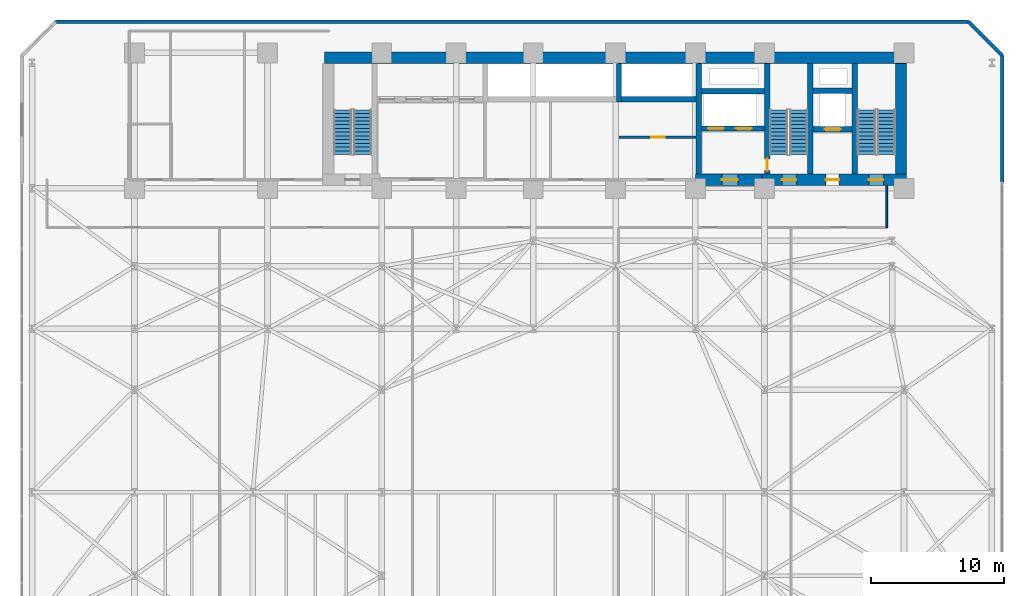
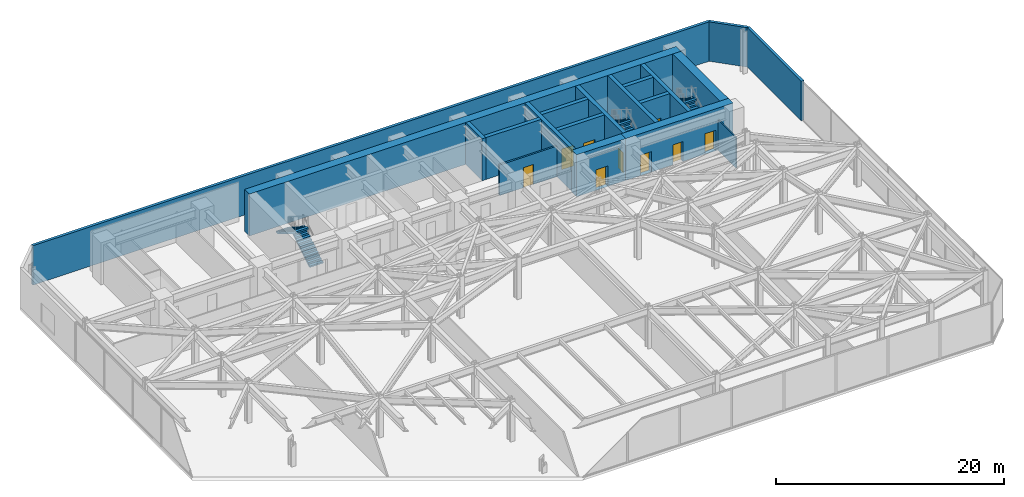
# One storey, part 26 of 28: 19 walls, 9 doors, 6 stair flights, 9 openings, 3 elements without a shape of their own.
"""IFC4 building model written with IfcOpenShell, lengths in metres."""

from ifc_helpers import new_model, si_unit, direction, frame, frame_2d, origin, place, context, subcontext, project, spatial, polyline, rectangle, outline, extrude, material, layer, layer_set, type_object, element, fill, aggregate, save


model = new_model("IFC4")

# Units and contexts
model_context = context("Model", 3, precision=1e-05, world=origin(), true_north=direction((0.0, 1.0)))
body_context = subcontext(model_context, "Body", "Model", "MODEL_VIEW")
ifc_project = project(units=[si_unit("LENGTHUNIT", "METRE"), si_unit("AREAUNIT", "SQUARE_METRE"), si_unit("VOLUMEUNIT", "CUBIC_METRE"), si_unit("PLANEANGLEUNIT", "RADIAN"), si_unit("MASSUNIT", "GRAM", prefix="KILO")], contexts=[model_context])

# Site, building, storey
site_placement = place(None, origin())
site = spatial("IfcSite", under=ifc_project, at=site_placement, CompositionType="ELEMENT")
building_placement = place(site_placement, origin())
building = spatial("IfcBuilding", under=site, at=building_placement, Name="Kravanh Interchange Tower", CompositionType="ELEMENT")
storey_placement = place(building_placement, frame((0.0, 0.0, 10.800048828125)))
storey = spatial("IfcBuildingStorey", under=building, at=storey_placement, Name="L02", CompositionType="ELEMENT", Elevation=10.800048828125)

# Walls
ifc_material_1 = material(Name="Double Acoustic Gypsum Board and Mineral Wool")
ifc_layer_1 = layer(ifc_material_1, 0.1201171875)
ifc_layer_set_1 = layer_set([ifc_layer_1], Name="Acoustic Office Drywall Partition 120mm")
wall_type_1 = type_object("IfcWallType", Name="Acoustic Office Drywall Partition 120mm", PredefinedType="PARTITIONING", material=ifc_layer_set_1)
wall_1_placement = place(storey_placement, frame((65.199951171875, 34.39990234375, 0.0), z_axis=(0.0, 0.0, 1.0), x_axis=(0.0, 1.0, 0.0)))
element("IfcWall", 1, at=wall_1_placement, inside=storey, type_object=wall_type_1, Name="L02 Interior Partition 9", PredefinedType="PARTITIONING", context=body_context, shape_type="SweptSolid", body=[
    extrude(rectangle(XDim=3.1669921875, YDim=0.1201171875, at=frame_2d((1.58349609375, 0.0))), origin(), (0.0, 0.0, 1.0), 3.281982421875),
])
ifc_material_2 = material(Name="Concrete C80/95", Category="concrete")
ifc_layer_2 = layer(ifc_material_2, 0.39990234375)
ifc_layer_set_2 = layer_set([ifc_layer_2], Name="Core Shear Wall Concrete C80/95 400mm")
wall_type_2 = type_object("IfcWallType", Name="Core Shear Wall Concrete C80/95 400mm", PredefinedType="SHEAR", material=ifc_layer_set_2)
for number, where, z_axis, x_axis, name in (
    (2, (62.800048828125, 38.425048828125, 0.0), (0.0, 0.0, 1.0), (0.0, 1.0, 0.0), "L02 Stair ST1 West Shear Wall"),
    (3, (59.449951171875, 38.425048828125, 0.0), (0.0, 0.0, 1.0), (0.0, 1.0, 0.0), "L02 Stair ST2 East Shear Wall"),
):
    element("IfcWall", number, at=place(storey_placement, frame(where, z_axis=z_axis, x_axis=x_axis)), inside=storey, type_object=wall_type_2, Name=name, PredefinedType="SHEAR", context=body_context, shape_type="SweptSolid", body=[
        extrude(rectangle(XDim=8.324951171875, YDim=0.39990234375, at=frame_2d((4.16259765625, 0.0))), origin(), (0.0, 0.0, 1.0), 4.5),
    ])

# Wall, opening, door
wall_2_placement = place(storey_placement, frame((56.199951171875, 38.425048828125, 0.0), z_axis=(0.0, 0.0, 1.0), x_axis=(0.0, 1.0, 0.0)))
wall_2 = element("IfcWall", 4, at=wall_2_placement, inside=storey, type_object=wall_type_2, Name="L02 Stair ST2 West Shear Wall", PredefinedType="SHEAR", context=body_context, shape_type="SweptSolid", body=[
    extrude(rectangle(XDim=8.324951171875, YDim=0.39990234375, at=frame_2d((4.16259765625, 0.0))), origin(), (0.0, 0.0, 1.0), 4.5),
])
opening_1_placement = place(wall_2_placement, frame((0.2548828125, 0.0, 0.0)))
opening_1 = element("IfcOpeningElement", 5, at=opening_1_placement, cuts=wall_2, Name="Opening D-STAIR-90", PredefinedType="OPENING", context=body_context, shape_type="SweptSolid", body=[
    extrude(rectangle(XDim=0.89990234375, YDim=2.14990234375, at=frame_2d((0.449951171875, 1.074951171875))), frame((0.0, 0.2099609375, 0.0), z_axis=(0.0, -1.0, 0.0), x_axis=(1.0, 0.0, 0.0)), (0.0, 0.0, 1.0), 0.419921875),
])
ifc_material_3 = material(Name="Structural Steel S355", Category="steel")
door_type_1 = type_object("IfcDoorType", Name="Fire-Rated Stair Lobby Door 900x2150", OperationType="NOTDEFINED", PredefinedType="DOOR", material=ifc_material_3)
door_1_placement = place(opening_1_placement, origin())
door_1 = element("IfcDoor", 6, at=door_1_placement, inside=storey, type_object=door_type_1, Name="L02 Firefighting Lobby to Stair ST2 Door", OperationType="SINGLE_SWING_LEFT", OverallHeight=2.14990234375, OverallWidth=0.89990234375, PredefinedType="DOOR", context=body_context, shape_type="SweptSolid", body=[
    extrude(rectangle(XDim=0.89990234375, YDim=2.14990234375, at=frame_2d((0.449951171875, 1.074951171875))), frame((0.0, 0.02490234375, 0.0), z_axis=(0.0, -1.0, 0.0), x_axis=(1.0, 0.0, 0.0)), (0.0, 0.0, 1.0), 0.050048828125),
])
fill(opening_1, door_1)

wall_3_placement = place(storey_placement, frame((59.64990234375, 41.800048828125, 0.0), z_axis=(0.0, 0.0, 1.0), x_axis=(1.0, 0.0, 0.0)))
wall_3 = element("IfcWall", 7, at=wall_3_placement, inside=storey, type_object=wall_type_2, Name="L02 Service Lift Shaft South Wall", PredefinedType="SHEAR", context=body_context, shape_type="SweptSolid", body=[
    extrude(rectangle(XDim=2.9501953125, YDim=0.39990234375, at=frame_2d((1.47509765625, 0.0))), origin(), (0.0, 0.0, 1.0), 4.5),
])
opening_2_placement = place(wall_3_placement, frame((0.8701171875, 0.0, 0.0)))
opening_2 = element("IfcOpeningElement", 8, at=opening_2_placement, cuts=wall_3, Name="Opening LD02", PredefinedType="OPENING", context=body_context, shape_type="SweptSolid", body=[
    extrude(rectangle(XDim=1.199951171875, YDim=2.199951171875, at=frame_2d((0.60009765625, 1.10009765625))), frame((0.0, 0.2099609375, 0.0), z_axis=(0.0, -1.0, 0.0), x_axis=(1.0, 0.0, 0.0)), (0.0, 0.0, 1.0), 0.419921875),
])
ifc_material_4 = material(Name="Stainless Steel 316", Category="steel")
door_type_2 = type_object("IfcDoorType", Name="Fire and Service Lift Sliding Landing Door 1200x2200", OperationType="DOUBLE_DOOR_SLIDING", PredefinedType="DOOR", material=ifc_material_4)
door_2_placement = place(opening_2_placement, origin())
door_2 = element("IfcDoor", 9, at=door_2_placement, inside=storey, type_object=door_type_2, Name="L02 Lift LS-01 Landing Door", OperationType="DOUBLE_DOOR_SLIDING", OverallHeight=2.199951171875, OverallWidth=1.199951171875, PredefinedType="DOOR", context=body_context, shape_type="SweptSolid", body=[
    extrude(rectangle(XDim=1.199951171875, YDim=2.199951171875, at=frame_2d((0.60009765625, 1.10009765625))), frame((0.0, 0.02490234375, 0.0), z_axis=(0.0, -1.0, 0.0), x_axis=(1.0, 0.0, 0.0)), (0.0, 0.0, 1.0), 0.050048828125),
])
fill(opening_2, door_2)

# Wall
wall_4_placement = place(storey_placement, frame((59.64990234375, 44.699951171875, 0.0), z_axis=(0.0, 0.0, 1.0), x_axis=(1.0, 0.0, 0.0)))
element("IfcWall", 10, at=wall_4_placement, inside=storey, type_object=wall_type_2, Name="L02 Service Lift Shaft North Wall", PredefinedType="SHEAR", context=body_context, shape_type="SweptSolid", body=[
    extrude(rectangle(XDim=2.9501953125, YDim=0.39990234375, at=frame_2d((1.47509765625, 0.0))), origin(), (0.0, 0.0, 1.0), 4.5),
])

# Wall, openings, doors
wall_5_placement = place(storey_placement, frame((51.25, 41.85009765625, 0.0), z_axis=(0.0, 0.0, 1.0), x_axis=(1.0, 0.0, 0.0)))
wall_5 = element("IfcWall", 11, at=wall_5_placement, inside=storey, type_object=wall_type_2, Name="L02 Fire Lift Shaft South Wall", PredefinedType="SHEAR", context=body_context, shape_type="SweptSolid", body=[
    extrude(rectangle(XDim=4.75, YDim=0.39990234375, at=frame_2d((2.375, 0.0))), origin(), (0.0, 0.0, 1.0), 4.5),
])
opening_3_placement = place(wall_5_placement, frame((0.5, 0.0, 0.0)))
opening_3 = element("IfcOpeningElement", 12, at=opening_3_placement, cuts=wall_5, Name="Opening LD02", PredefinedType="OPENING", context=body_context, shape_type="SweptSolid", body=[
    extrude(rectangle(XDim=1.199951171875, YDim=2.199951171875, at=frame_2d((0.60009765625, 1.10009765625))), frame((0.0, 0.2099609375, 0.0), z_axis=(0.0, -1.0, 0.0), x_axis=(1.0, 0.0, 0.0)), (0.0, 0.0, 1.0), 0.419921875),
])
opening_4_placement = place(wall_5_placement, frame((2.60009765625, 0.0, 0.0)))
opening_4 = element("IfcOpeningElement", 13, at=opening_4_placement, cuts=wall_5, Name="Opening LD02", PredefinedType="OPENING", context=body_context, shape_type="SweptSolid", body=[
    extrude(rectangle(XDim=1.199951171875, YDim=2.199951171875, at=frame_2d((0.60009765625, 1.10009765625))), frame((0.0, 0.2099609375, 0.0), z_axis=(0.0, -1.0, 0.0), x_axis=(1.0, 0.0, 0.0)), (0.0, 0.0, 1.0), 0.419921875),
])
door_3_placement = place(opening_3_placement, origin())
door_3 = element("IfcDoor", 14, at=door_3_placement, inside=storey, type_object=door_type_2, Name="L02 Lift FSAE-01 Landing Door", OperationType="DOUBLE_DOOR_SLIDING", OverallHeight=2.199951171875, OverallWidth=1.199951171875, PredefinedType="DOOR", context=body_context, shape_type="SweptSolid", body=[
    extrude(rectangle(XDim=1.199951171875, YDim=2.199951171875, at=frame_2d((0.60009765625, 1.10009765625))), frame((0.0, 0.02490234375, 0.0), z_axis=(0.0, -1.0, 0.0), x_axis=(1.0, 0.0, 0.0)), (0.0, 0.0, 1.0), 0.050048828125),
])
fill(opening_3, door_3)
door_4_placement = place(opening_4_placement, origin())
door_4 = element("IfcDoor", 15, at=door_4_placement, inside=storey, type_object=door_type_2, Name="L02 Lift FSAE-02 Landing Door", OperationType="DOUBLE_DOOR_SLIDING", OverallHeight=2.199951171875, OverallWidth=1.199951171875, PredefinedType="DOOR", context=body_context, shape_type="SweptSolid", body=[
    extrude(rectangle(XDim=1.199951171875, YDim=2.199951171875, at=frame_2d((0.60009765625, 1.10009765625))), frame((0.0, 0.02490234375, 0.0), z_axis=(0.0, -1.0, 0.0), x_axis=(1.0, 0.0, 0.0)), (0.0, 0.0, 1.0), 0.050048828125),
])
fill(opening_4, door_4)

# Walls
wall_6_placement = place(storey_placement, frame((51.25, 44.64990234375, 0.0), z_axis=(0.0, 0.0, 1.0), x_axis=(1.0, 0.0, 0.0)))
element("IfcWall", 16, at=wall_6_placement, inside=storey, type_object=wall_type_2, Name="L02 Fire Lift Shaft North Wall", PredefinedType="SHEAR", context=body_context, shape_type="SweptSolid", body=[
    extrude(rectangle(XDim=4.75, YDim=0.39990234375, at=frame_2d((2.375, 0.0))), origin(), (0.0, 0.0, 1.0), 4.5),
])
wall_7_placement = place(storey_placement, frame((51.050048828125, 38.425048828125, 0.0), z_axis=(0.0, 0.0, 1.0), x_axis=(0.0, 1.0, 0.0)))
element("IfcWall", 17, at=wall_7_placement, inside=storey, type_object=wall_type_2, Name="L02 Firefighting Lobby West Wall", PredefinedType="SHEAR", context=body_context, shape_type="SweptSolid", body=[
    extrude(rectangle(XDim=8.324951171875, YDim=0.39990234375, at=frame_2d((4.16259765625, 0.0))), origin(), (0.0, 0.0, 1.0), 4.5),
])
wall_8_placement = place(storey_placement, frame((45.25, 44.050048828125, 0.0), z_axis=(0.0, 0.0, 1.0), x_axis=(1.0, 0.0, 0.0)))
element("IfcWall", 18, at=wall_8_placement, inside=storey, type_object=wall_type_2, Name="L02 High-Rise Lift Shaft South Wall", PredefinedType="SHEAR", context=body_context, shape_type="SweptSolid", body=[
    extrude(rectangle(XDim=5.60009765625, YDim=0.39990234375, at=frame_2d((2.800048828125, 0.0))), origin(), (0.0, 0.0, 1.0), 4.5),
])
wall_9_placement = place(storey_placement, frame((45.050048828125, 43.85009765625, 0.0), z_axis=(0.0, 0.0, 1.0), x_axis=(0.0, 1.0, 0.0)))
element("IfcWall", 19, at=wall_9_placement, inside=storey, type_object=wall_type_2, Name="L02 High-Rise Lift Shaft West Wall", PredefinedType="SHEAR", context=body_context, shape_type="SweptSolid", body=[
    extrude(rectangle(XDim=2.89990234375, YDim=0.39990234375, at=frame_2d((1.449951171875, 0.0))), origin(), (0.0, 0.0, 1.0), 4.5),
])
ifc_material_5 = material(Name="Concrete C80/95", Category="concrete")
ifc_layer_3 = layer(ifc_material_5, 0.85009765625)
ifc_layer_set_3 = layer_set([ifc_layer_3], Name="Core Shear Wall Concrete C80/95 850mm")
wall_type_3 = type_object("IfcWallType", Name="Core Shear Wall Concrete C80/95 850mm", PredefinedType="SHEAR", material=ifc_layer_set_3)
wall_10_placement = place(storey_placement, frame((22.89990234375, 47.175048828125, 0.0), z_axis=(0.0, 0.0, 1.0), x_axis=(1.0, 0.0, 0.0)))
element("IfcWall", 20, at=wall_10_placement, inside=storey, type_object=wall_type_3, Name="L02 North Core Shear Wall", PredefinedType="SHEAR", context=body_context, shape_type="SweptSolid", body=[
    extrude(rectangle(XDim=43.800048828125, YDim=0.85009765625, at=frame_2d((21.89990234375, 0.0))), origin(), (0.0, 0.0, 1.0), 4.5),
])

# Wall, openings, doors
wall_11_placement = place(storey_placement, frame((55.800048828125, 38.0, 0.0), z_axis=(0.0, 0.0, 1.0), x_axis=(1.0, 0.0, 0.0)))
wall_11 = element("IfcWall", 21, at=wall_11_placement, inside=storey, type_object=wall_type_3, Name="L02 East Core South Shear Wall", PredefinedType="SHEAR", context=body_context, shape_type="SweptSolid", body=[
    extrude(rectangle(XDim=10.89990234375, YDim=0.85009765625, at=frame_2d((5.449951171875, 0.0))), origin(), (0.0, 0.0, 1.0), 4.5),
])
opening_5_placement = place(wall_11_placement, frame((1.5, 0.0, 0.0)))
opening_5 = element("IfcOpeningElement", 22, at=opening_5_placement, cuts=wall_11, Name="Opening D-STAIR-110", PredefinedType="OPENING", context=body_context, shape_type="SweptSolid", body=[
    extrude(rectangle(XDim=1.10009765625, YDim=2.199951171875, at=frame_2d((0.550048828125, 1.10009765625))), frame((0.0, 0.43505859375, 0.0), z_axis=(0.0, -1.0, 0.0), x_axis=(1.0, 0.0, 0.0)), (0.0, 0.0, 1.0), 0.8701171875),
])
opening_6_placement = place(wall_11_placement, frame((4.820068359375, 0.0, 0.0)))
opening_6 = element("IfcOpeningElement", 23, at=opening_6_placement, cuts=wall_11, Name="Opening D-HOTEL-100", PredefinedType="OPENING", context=body_context, shape_type="SweptSolid", body=[
    extrude(rectangle(XDim=1.0, YDim=2.14990234375, at=frame_2d((0.5, 1.074951171875))), frame((0.0, 0.43505859375, 0.0), z_axis=(0.0, -1.0, 0.0), x_axis=(1.0, 0.0, 0.0)), (0.0, 0.0, 1.0), 0.8701171875),
])
opening_7_placement = place(wall_11_placement, frame((8.050048828125, 0.0, 0.0)))
opening_7 = element("IfcOpeningElement", 24, at=opening_7_placement, cuts=wall_11, Name="Opening D-STAIR-110", PredefinedType="OPENING", context=body_context, shape_type="SweptSolid", body=[
    extrude(rectangle(XDim=1.10009765625, YDim=2.199951171875, at=frame_2d((0.550048828125, 1.10009765625))), frame((0.0, 0.43505859375, 0.0), z_axis=(0.0, -1.0, 0.0), x_axis=(1.0, 0.0, 0.0)), (0.0, 0.0, 1.0), 0.8701171875),
])
ifc_material_6 = material(Name="Structural Steel S355", Category="steel")
door_type_3 = type_object("IfcDoorType", Name="Fire-Rated Exit Stair Door 1100x2200", OperationType="NOTDEFINED", PredefinedType="DOOR", material=ifc_material_6)
door_5_placement = place(opening_5_placement, origin())
door_5 = element("IfcDoor", 25, at=door_5_placement, inside=storey, type_object=door_type_3, Name="L02 Exit Stair ST2 Door", OperationType="SINGLE_SWING_RIGHT", OverallHeight=2.199951171875, OverallWidth=1.10009765625, PredefinedType="DOOR", context=body_context, shape_type="SweptSolid", body=[
    extrude(rectangle(XDim=1.10009765625, YDim=2.199951171875, at=frame_2d((0.550048828125, 1.10009765625))), frame((0.0, 0.02490234375, 0.0), z_axis=(0.0, -1.0, 0.0), x_axis=(1.0, 0.0, 0.0)), (0.0, 0.0, 1.0), 0.050048828125),
])
fill(opening_5, door_5)
door_6_placement = place(opening_7_placement, origin())
door_6 = element("IfcDoor", 26, at=door_6_placement, inside=storey, type_object=door_type_3, Name="L02 Exit Stair ST1 Door", OperationType="SINGLE_SWING_RIGHT", OverallHeight=2.199951171875, OverallWidth=1.10009765625, PredefinedType="DOOR", context=body_context, shape_type="SweptSolid", body=[
    extrude(rectangle(XDim=1.10009765625, YDim=2.199951171875, at=frame_2d((0.550048828125, 1.10009765625))), frame((0.0, 0.02490234375, 0.0), z_axis=(0.0, -1.0, 0.0), x_axis=(1.0, 0.0, 0.0)), (0.0, 0.0, 1.0), 0.050048828125),
])
fill(opening_7, door_6)
ifc_material_7 = material(Name="Fire-Rated Solid Timber Leaf", Category="wood")
door_type_4 = type_object("IfcDoorType", Name="Fire-Rated Suite Entrance Door 1000x2150", OperationType="NOTDEFINED", PredefinedType="DOOR", material=ifc_material_7)
door_7_placement = place(opening_6_placement, origin())
door_7 = element("IfcDoor", 27, at=door_7_placement, inside=storey, type_object=door_type_4, Name="L02 Service Lift Lobby Door", OperationType="SINGLE_SWING_RIGHT", OverallHeight=2.14990234375, OverallWidth=1.0, PredefinedType="DOOR", context=body_context, shape_type="SweptSolid", body=[
    extrude(rectangle(XDim=1.0, YDim=2.14990234375, at=frame_2d((0.5, 1.074951171875))), frame((0.0, 0.02490234375, 0.0), z_axis=(0.0, -1.0, 0.0), x_axis=(1.0, 0.0, 0.0)), (0.0, 0.0, 1.0), 0.050048828125),
])
fill(opening_6, door_7)

# Wall
wall_12_placement = place(storey_placement, frame((66.27490234375, 38.425048828125, 0.0), z_axis=(0.0, 0.0, 1.0), x_axis=(0.0, 1.0, 0.0)))
element("IfcWall", 28, at=wall_12_placement, inside=storey, type_object=wall_type_3, Name="L02 Stair ST1 East Shear Wall", PredefinedType="SHEAR", context=body_context, shape_type="SweptSolid", body=[
    extrude(rectangle(XDim=8.324951171875, YDim=0.85009765625, at=frame_2d((4.16259765625, 0.0))), origin(), (0.0, 0.0, 1.0), 4.5),
])

# Wall, opening, door
wall_13_placement = place(storey_placement, frame((50.800048828125, 38.0, 0.0), z_axis=(0.0, 0.0, 1.0), x_axis=(1.0, 0.0, 0.0)))
wall_13 = element("IfcWall", 29, at=wall_13_placement, inside=storey, type_object=wall_type_3, Name="L02 Firefighting Lobby South Shear Wall", PredefinedType="SHEAR", context=body_context, shape_type="SweptSolid", body=[
    extrude(rectangle(XDim=5.0, YDim=0.85009765625, at=frame_2d((2.5, 0.0))), origin(), (0.0, 0.0, 1.0), 4.5),
])
opening_8_placement = place(wall_13_placement, frame((2.0, 0.0, 0.0)))
opening_8 = element("IfcOpeningElement", 30, at=opening_8_placement, cuts=wall_13, Name="Opening D-FSAE-120", PredefinedType="OPENING", context=body_context, shape_type="SweptSolid", body=[
    extrude(rectangle(XDim=1.199951171875, YDim=2.199951171875, at=frame_2d((0.60009765625, 1.10009765625))), frame((0.0, 0.43505859375, 0.0), z_axis=(0.0, -1.0, 0.0), x_axis=(1.0, 0.0, 0.0)), (0.0, 0.0, 1.0), 0.8701171875),
])
ifc_material_8 = material(Name="Structural Steel S355", Category="steel")
door_type_5 = type_object("IfcDoorType", Name="Fire-Rated Refuge and FSAE Door 1200x2200", OperationType="NOTDEFINED", PredefinedType="DOOR", material=ifc_material_8)
door_8_placement = place(opening_8_placement, origin())
door_8 = element("IfcDoor", 31, at=door_8_placement, inside=storey, type_object=door_type_5, Name="L02 Firefighting Lobby Corridor Door", OperationType="SINGLE_SWING_RIGHT", OverallHeight=2.199951171875, OverallWidth=1.199951171875, PredefinedType="DOOR", context=body_context, shape_type="SweptSolid", body=[
    extrude(rectangle(XDim=1.199951171875, YDim=2.199951171875, at=frame_2d((0.60009765625, 1.10009765625))), frame((0.0, 0.02490234375, 0.0), z_axis=(0.0, -1.0, 0.0), x_axis=(1.0, 0.0, 0.0)), (0.0, 0.0, 1.0), 0.050048828125),
])
fill(opening_8, door_8)

# Walls
ifc_material_9 = material(Name="Insulated Precast Concrete C40/50 with Bronze Cladding", Category="concrete")
ifc_layer_4 = layer(ifc_material_9, 0.280029296875)
ifc_layer_set_4 = layer_set([ifc_layer_4], Name="Exterior Insulated Concrete C40/50 Bronze Spandrel Wall 280mm")
wall_type_4 = type_object("IfcWallType", Name="Exterior Insulated Concrete C40/50 Bronze Spandrel Wall 280mm", PredefinedType="STANDARD", material=ifc_layer_set_4)
wall_14_placement = place(storey_placement, frame((2.649658203125, 49.8798828125, 0.0), z_axis=(0.0, 0.0, 1.0), x_axis=(1.0, 0.0, 0.0)))
element("IfcWall", 32, at=wall_14_placement, inside=storey, type_object=wall_type_4, Name="L02 Exterior Wall 3", PredefinedType="STANDARD", context=body_context, shape_type="SweptSolid", body=[
    extrude(rectangle(XDim=68.70068359375, YDim=0.280029296875, at=frame_2d((34.350341796875, 0.0))), origin(), (0.0, 0.0, 1.0), 4.22998046875),
])
wall_15_placement = place(storey_placement, frame((71.350341796875, 49.8798828125, 0.0), z_axis=(0.0, 0.0, 1.0), x_axis=(0.707106781187, -0.707106781187, 0.0)))
element("IfcWall", 33, at=wall_15_placement, inside=storey, type_object=wall_type_4, Name="L02 Exterior Wall 4", PredefinedType="STANDARD", context=body_context, shape_type="SweptSolid", body=[
    extrude(rectangle(XDim=3.577392578125, YDim=0.280029296875, at=frame_2d((1.78857421875, 0.0))), origin(), (0.0, 0.0, 1.0), 4.22998046875),
])
wall_16_placement = place(storey_placement, frame((73.8798828125, 47.350341796875, 0.0), z_axis=(0.0, 0.0, 1.0), x_axis=(0.0, -1.0, 0.0)))
element("IfcWall", 34, at=wall_16_placement, inside=storey, type_object=wall_type_4, Name="L02 Exterior Wall 5", PredefinedType="STANDARD", context=body_context, shape_type="SweptSolid", body=[
    extrude(rectangle(XDim=9.55029296875, YDim=0.280029296875, at=frame_2d((4.775146484375, 0.0))), origin(), (0.0, 0.0, 1.0), 4.22998046875),
])

# Wall, opening, door
ifc_material_10 = material(Name="Autoclaved Aerated Concrete C30/37 Blockwork", Category="masonry")
ifc_layer_5 = layer(ifc_material_10, 0.179931640625)
ifc_layer_set_5 = layer_set([ifc_layer_5], Name="Fire-Rated Lobby and Corridor Wall Concrete C30/37 180mm")
wall_type_5 = type_object("IfcWallType", Name="Fire-Rated Lobby and Corridor Wall Concrete C30/37 180mm", PredefinedType="STANDARD", material=ifc_layer_set_5)
wall_17_placement = place(storey_placement, frame((45.050048828125, 41.199951171875, 0.0), z_axis=(0.0, 0.0, 1.0), x_axis=(1.0, 0.0, 0.0)))
wall_17 = element("IfcWall", 35, at=wall_17_placement, inside=storey, type_object=wall_type_5, Name="L02 Interior Partition 2", PredefinedType="STANDARD", context=body_context, shape_type="SweptSolid", body=[
    extrude(rectangle(XDim=5.7919921875, YDim=0.179931640625, at=frame_2d((2.89599609375, 0.0))), origin(), (0.0, 0.0, 1.0), 3.281982421875),
])
opening_9_placement = place(wall_17_placement, frame((2.425048828125, 0.0, 0.0)))
opening_9 = element("IfcOpeningElement", 36, at=opening_9_placement, cuts=wall_17, Name="Opening D-HOTEL-100", PredefinedType="OPENING", context=body_context, shape_type="SweptSolid", body=[
    extrude(rectangle(XDim=1.0, YDim=2.14990234375, at=frame_2d((0.5, 1.074951171875))), frame((0.0, 0.10009765625, 0.0), z_axis=(0.0, -1.0, 0.0), x_axis=(1.0, 0.0, 0.0)), (0.0, 0.0, 1.0), 0.199951171875),
])
door_9_placement = place(opening_9_placement, origin())
door_9 = element("IfcDoor", 37, at=door_9_placement, inside=storey, type_object=door_type_4, Name="L02 Core Telecom Inner Door", OperationType="SINGLE_SWING_LEFT", OverallHeight=2.14990234375, OverallWidth=1.0, PredefinedType="DOOR", context=body_context, shape_type="SweptSolid", body=[
    extrude(rectangle(XDim=1.0, YDim=2.14990234375, at=frame_2d((0.5, 1.074951171875))), frame((0.0, 0.02490234375, 0.0), z_axis=(0.0, -1.0, 0.0), x_axis=(1.0, 0.0, 0.0)), (0.0, 0.0, 1.0), 0.050048828125),
])
fill(opening_9, door_9)

# Stair, stair flights
ifc_material_11 = material(Name="Concrete C50/60", Category="concrete")
stair_type = type_object("IfcStairType", Name="Core Fire Exit Dogleg Stair Concrete C50/60", PredefinedType="HALF_TURN_STAIR", material=ifc_material_11)
stair_1_placement = place(storey_placement, origin())
stair_1 = element("IfcStair", 38, at=stair_1_placement, inside=storey, type_object=stair_type, Name="L02 Exit Stair ST1", PredefinedType="HALF_TURN_STAIR")
ifc_material_12 = material(Name="Precast Concrete C50/60", Category="concrete")
ifc_layer_6 = layer(ifc_material_12, 0.199951171875)
ifc_layer_set_6 = layer_set([ifc_layer_6], Name="Precast Concrete C50/60 Stair Flight 1350mm")
stair_flight_type = type_object("IfcStairFlightType", Name="Precast Concrete C50/60 Stair Flight 1350mm", PredefinedType="STRAIGHT", material=ifc_layer_set_6)
stair_flight_1_placement = place(storey_placement, frame((65.175048828125, 39.89990234375, 0.0), z_axis=(0.0, 0.0, 1.0), x_axis=(0.0, 1.0, 0.0)))
stair_flight_1 = element("IfcStairFlight", 39, at=stair_flight_1_placement, type_object=stair_flight_type, Name="ST1 flight 1", NumberOfRisers=13, NumberOfTreads=12, PredefinedType="STRAIGHT", RiserHeight=0.173076923, TreadLength=0.28, context=body_context, shape_type="SweptSolid", body=[
    extrude(outline(polyline([(0.0, 0.0), (0.0, 0.173095703125), (0.280029296875, 0.173095703125), (0.280029296875, 0.34619140625), (0.56005859375, 0.34619140625), (0.56005859375, 0.519287109375), (0.840087890625, 0.519287109375), (0.840087890625, 0.6923828125), (1.1201171875, 0.6923828125), (1.1201171875, 0.865478515625), (1.39990234375, 0.865478515625), (1.39990234375, 1.03857421875), (1.679931640625, 1.03857421875), (1.679931640625, 1.21142578125), (1.9599609375, 1.21142578125), (1.9599609375, 1.384521484375), (2.239990234375, 1.384521484375), (2.239990234375, 1.5576171875), (2.52001953125, 1.5576171875), (2.52001953125, 1.730712890625), (2.800048828125, 1.730712890625), (2.800048828125, 1.90380859375), (3.080078125, 1.90380859375), (3.080078125, 2.076904296875), (3.360107421875, 2.076904296875), (3.360107421875, 2.25), (3.360107421875, 1.900634765625), (0.28515625, 0.0), (0.0, 0.0)])), frame((0.0, 0.675048828125, 0.0), z_axis=(0.0, -1.0, 0.0), x_axis=(1.0, 0.0, 0.0)), (0.0, 0.0, 1.0), 1.35009765625),
])
stair_flight_2_placement = place(storey_placement, frame((63.675048828125, 43.260009765625, 2.25), z_axis=(0.0, 0.0, 1.0), x_axis=(0.0, -1.0, 0.0)))
stair_flight_2 = element("IfcStairFlight", 40, at=stair_flight_2_placement, type_object=stair_flight_type, Name="ST1 flight 2", NumberOfRisers=13, NumberOfTreads=12, PredefinedType="STRAIGHT", RiserHeight=0.173076923, TreadLength=0.28, context=body_context, shape_type="SweptSolid", body=[
    extrude(outline(polyline([(0.0, 0.0), (0.0, 0.173095703125), (0.280029296875, 0.173095703125), (0.280029296875, 0.34619140625), (0.56005859375, 0.34619140625), (0.56005859375, 0.519287109375), (0.840087890625, 0.519287109375), (0.840087890625, 0.6923828125), (1.1201171875, 0.6923828125), (1.1201171875, 0.865478515625), (1.39990234375, 0.865478515625), (1.39990234375, 1.03857421875), (1.679931640625, 1.03857421875), (1.679931640625, 1.21142578125), (1.9599609375, 1.21142578125), (1.9599609375, 1.384521484375), (2.239990234375, 1.384521484375), (2.239990234375, 1.5576171875), (2.52001953125, 1.5576171875), (2.52001953125, 1.730712890625), (2.800048828125, 1.730712890625), (2.800048828125, 1.90380859375), (3.080078125, 1.90380859375), (3.080078125, 2.076904296875), (3.360107421875, 2.076904296875), (3.360107421875, 2.25), (3.360107421875, 1.900634765625), (0.28515625, 0.0), (0.0, 0.0)])), frame((0.0, 0.675048828125, 0.0), z_axis=(0.0, -1.0, 0.0), x_axis=(1.0, 0.0, 0.0)), (0.0, 0.0, 1.0), 1.35009765625),
])
aggregate(stair_1, [stair_flight_1, stair_flight_2])

stair_2_placement = place(storey_placement, origin())
stair_2 = element("IfcStair", 41, at=stair_2_placement, inside=storey, type_object=stair_type, Name="L02 Exit Stair ST2", PredefinedType="HALF_TURN_STAIR")
stair_flight_3_placement = place(storey_placement, frame((58.574951171875, 39.89990234375, 0.0), z_axis=(0.0, 0.0, 1.0), x_axis=(0.0, 1.0, 0.0)))
stair_flight_3 = element("IfcStairFlight", 42, at=stair_flight_3_placement, type_object=stair_flight_type, Name="ST2 flight 1", NumberOfRisers=13, NumberOfTreads=12, PredefinedType="STRAIGHT", RiserHeight=0.173076923, TreadLength=0.28, context=body_context, shape_type="SweptSolid", body=[
    extrude(outline(polyline([(0.0, 0.0), (0.0, 0.173095703125), (0.280029296875, 0.173095703125), (0.280029296875, 0.34619140625), (0.56005859375, 0.34619140625), (0.56005859375, 0.519287109375), (0.840087890625, 0.519287109375), (0.840087890625, 0.6923828125), (1.1201171875, 0.6923828125), (1.1201171875, 0.865478515625), (1.39990234375, 0.865478515625), (1.39990234375, 1.03857421875), (1.679931640625, 1.03857421875), (1.679931640625, 1.21142578125), (1.9599609375, 1.21142578125), (1.9599609375, 1.384521484375), (2.239990234375, 1.384521484375), (2.239990234375, 1.5576171875), (2.52001953125, 1.5576171875), (2.52001953125, 1.730712890625), (2.800048828125, 1.730712890625), (2.800048828125, 1.90380859375), (3.080078125, 1.90380859375), (3.080078125, 2.076904296875), (3.360107421875, 2.076904296875), (3.360107421875, 2.25), (3.360107421875, 1.900634765625), (0.28515625, 0.0), (0.0, 0.0)])), frame((0.0, 0.675048828125, 0.0), z_axis=(0.0, -1.0, 0.0), x_axis=(1.0, 0.0, 0.0)), (0.0, 0.0, 1.0), 1.35009765625),
])
stair_flight_4_placement = place(storey_placement, frame((57.074951171875, 43.260009765625, 2.25), z_axis=(0.0, 0.0, 1.0), x_axis=(0.0, -1.0, 0.0)))
stair_flight_4 = element("IfcStairFlight", 43, at=stair_flight_4_placement, type_object=stair_flight_type, Name="ST2 flight 2", NumberOfRisers=13, NumberOfTreads=12, PredefinedType="STRAIGHT", RiserHeight=0.173076923, TreadLength=0.28, context=body_context, shape_type="SweptSolid", body=[
    extrude(outline(polyline([(0.0, 0.0), (0.0, 0.173095703125), (0.280029296875, 0.173095703125), (0.280029296875, 0.34619140625), (0.56005859375, 0.34619140625), (0.56005859375, 0.519287109375), (0.840087890625, 0.519287109375), (0.840087890625, 0.6923828125), (1.1201171875, 0.6923828125), (1.1201171875, 0.865478515625), (1.39990234375, 0.865478515625), (1.39990234375, 1.03857421875), (1.679931640625, 1.03857421875), (1.679931640625, 1.21142578125), (1.9599609375, 1.21142578125), (1.9599609375, 1.384521484375), (2.239990234375, 1.384521484375), (2.239990234375, 1.5576171875), (2.52001953125, 1.5576171875), (2.52001953125, 1.730712890625), (2.800048828125, 1.730712890625), (2.800048828125, 1.90380859375), (3.080078125, 1.90380859375), (3.080078125, 2.076904296875), (3.360107421875, 2.076904296875), (3.360107421875, 2.25), (3.360107421875, 1.900634765625), (0.28515625, 0.0), (0.0, 0.0)])), frame((0.0, 0.675048828125, 0.0), z_axis=(0.0, -1.0, 0.0), x_axis=(1.0, 0.0, 0.0)), (0.0, 0.0, 1.0), 1.35009765625),
])
aggregate(stair_2, [stair_flight_3, stair_flight_4])

stair_3_placement = place(storey_placement, origin())
stair_3 = element("IfcStair", 44, at=stair_3_placement, inside=storey, type_object=stair_type, Name="L02 Exit Stair ST3", PredefinedType="HALF_TURN_STAIR")
stair_flight_5_placement = place(storey_placement, frame((25.77490234375, 39.89990234375, 0.0), z_axis=(0.0, 0.0, 1.0), x_axis=(0.0, 1.0, 0.0)))
stair_flight_5 = element("IfcStairFlight", 45, at=stair_flight_5_placement, type_object=stair_flight_type, Name="ST3 flight 1", NumberOfRisers=13, NumberOfTreads=12, PredefinedType="STRAIGHT", RiserHeight=0.173076923, TreadLength=0.28, context=body_context, shape_type="SweptSolid", body=[
    extrude(outline(polyline([(0.0, 0.0), (0.0, 0.173095703125), (0.280029296875, 0.173095703125), (0.280029296875, 0.34619140625), (0.56005859375, 0.34619140625), (0.56005859375, 0.519287109375), (0.840087890625, 0.519287109375), (0.840087890625, 0.6923828125), (1.1201171875, 0.6923828125), (1.1201171875, 0.865478515625), (1.39990234375, 0.865478515625), (1.39990234375, 1.03857421875), (1.679931640625, 1.03857421875), (1.679931640625, 1.21142578125), (1.9599609375, 1.21142578125), (1.9599609375, 1.384521484375), (2.239990234375, 1.384521484375), (2.239990234375, 1.5576171875), (2.52001953125, 1.5576171875), (2.52001953125, 1.730712890625), (2.800048828125, 1.730712890625), (2.800048828125, 1.90380859375), (3.080078125, 1.90380859375), (3.080078125, 2.076904296875), (3.360107421875, 2.076904296875), (3.360107421875, 2.25), (3.360107421875, 1.900634765625), (0.28515625, 0.0), (0.0, 0.0)])), frame((0.0, 0.675048828125, 0.0), z_axis=(0.0, -1.0, 0.0), x_axis=(1.0, 0.0, 0.0)), (0.0, 0.0, 1.0), 1.35009765625),
])
stair_flight_6_placement = place(storey_placement, frame((24.27490234375, 43.260009765625, 2.25), z_axis=(0.0, 0.0, 1.0), x_axis=(0.0, -1.0, 0.0)))
stair_flight_6 = element("IfcStairFlight", 46, at=stair_flight_6_placement, type_object=stair_flight_type, Name="ST3 flight 2", NumberOfRisers=13, NumberOfTreads=12, PredefinedType="STRAIGHT", RiserHeight=0.173076923, TreadLength=0.28, context=body_context, shape_type="SweptSolid", body=[
    extrude(outline(polyline([(0.0, 0.0), (0.0, 0.173095703125), (0.280029296875, 0.173095703125), (0.280029296875, 0.34619140625), (0.56005859375, 0.34619140625), (0.56005859375, 0.519287109375), (0.840087890625, 0.519287109375), (0.840087890625, 0.6923828125), (1.1201171875, 0.6923828125), (1.1201171875, 0.865478515625), (1.39990234375, 0.865478515625), (1.39990234375, 1.03857421875), (1.679931640625, 1.03857421875), (1.679931640625, 1.21142578125), (1.9599609375, 1.21142578125), (1.9599609375, 1.384521484375), (2.239990234375, 1.384521484375), (2.239990234375, 1.5576171875), (2.52001953125, 1.5576171875), (2.52001953125, 1.730712890625), (2.800048828125, 1.730712890625), (2.800048828125, 1.90380859375), (3.080078125, 1.90380859375), (3.080078125, 2.076904296875), (3.360107421875, 2.076904296875), (3.360107421875, 2.25), (3.360107421875, 1.900634765625), (0.28515625, 0.0), (0.0, 0.0)])), frame((0.0, 0.675048828125, 0.0), z_axis=(0.0, -1.0, 0.0), x_axis=(1.0, 0.0, 0.0)), (0.0, 0.0, 1.0), 1.35009765625),
])
aggregate(stair_3, [stair_flight_5, stair_flight_6])

save(model, "model.ifc")
